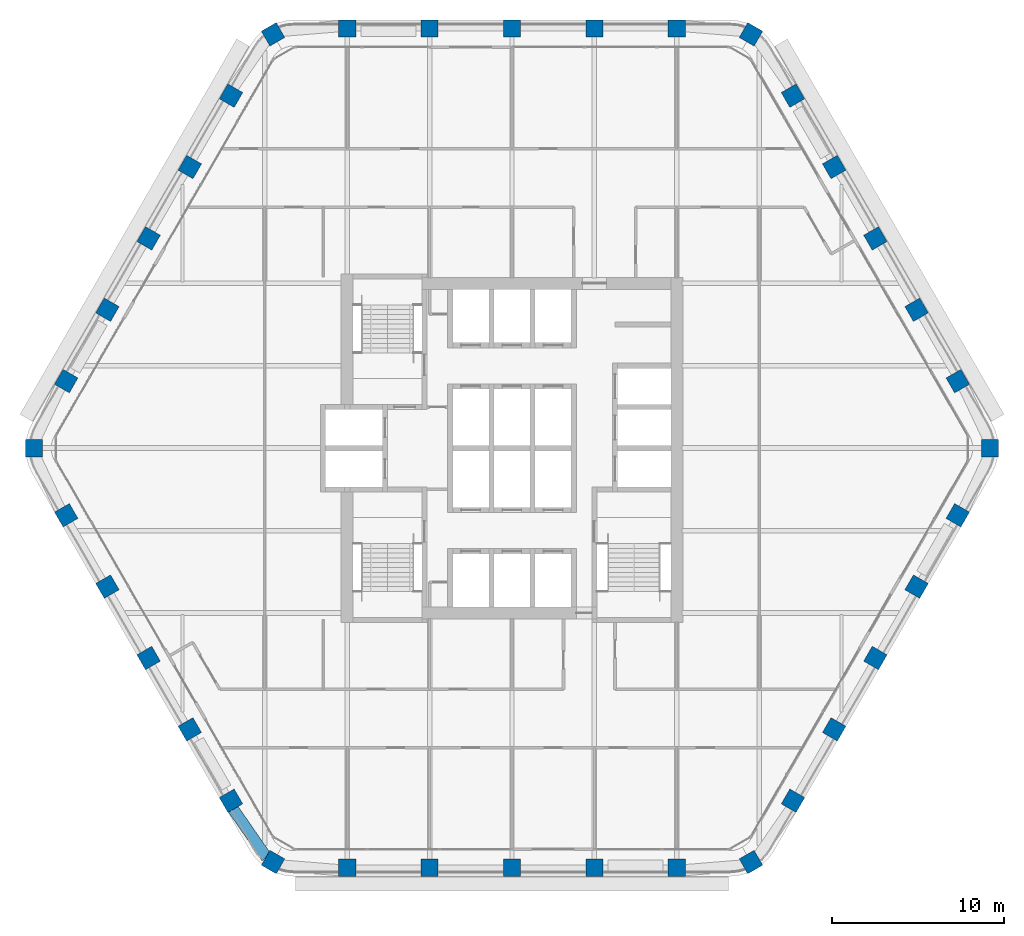
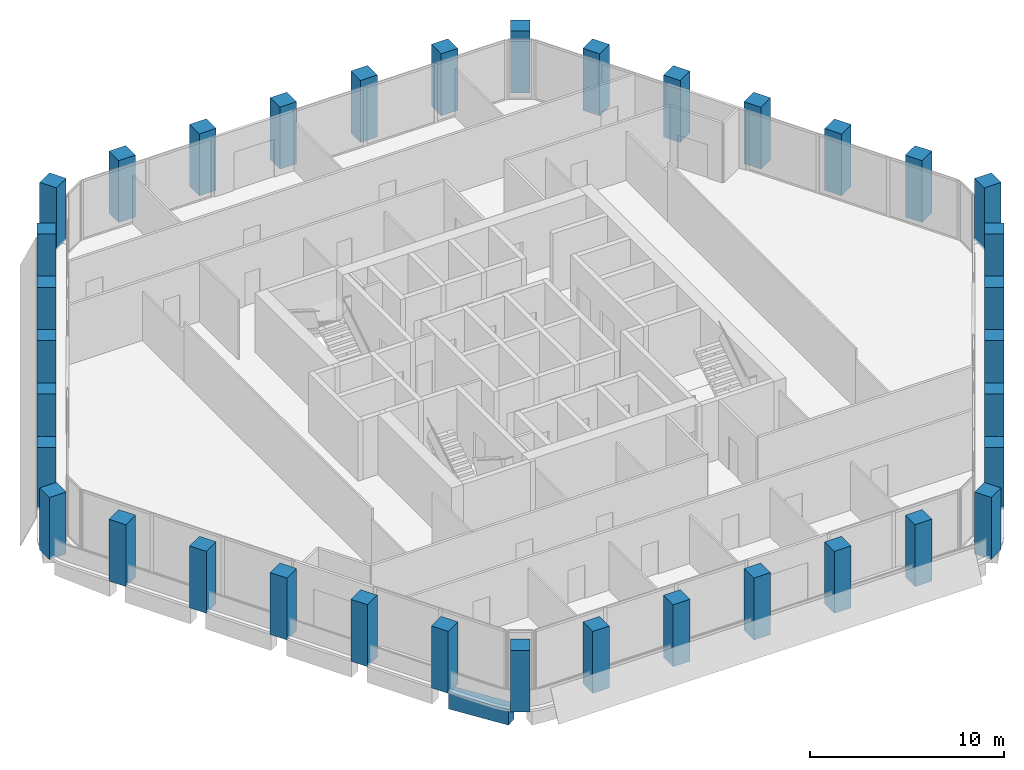
# One storey, part 1 of 15: 36 columns, 1 beam.
"""IFC4 building model written with IfcOpenShell, lengths in metres."""

from ifc_helpers import new_model, si_unit, direction, frame, origin, origin_2d, place, context, subcontext, project, spatial, rectangle, extrude, material, material_profile, profile_set, type_object, element, save


model = new_model("IFC4")

# Units and contexts
model_context = context("Model", 3, precision=1e-05, world=origin(), true_north=direction((0.0, 1.0)))
body_context = subcontext(model_context, "Body", "Model", "MODEL_VIEW")
ifc_project = project(units=[si_unit("LENGTHUNIT", "METRE"), si_unit("AREAUNIT", "SQUARE_METRE"), si_unit("VOLUMEUNIT", "CUBIC_METRE"), si_unit("PLANEANGLEUNIT", "RADIAN"), si_unit("MASSUNIT", "GRAM", prefix="KILO")], contexts=[model_context])

# Site, building, storey
site_placement = place(None, origin())
site = spatial("IfcSite", under=ifc_project, at=site_placement, CompositionType="ELEMENT")
building_placement = place(site_placement, origin())
building = spatial("IfcBuilding", under=site, at=building_placement, Name="Kolab Exchange Tower", CompositionType="ELEMENT")
storey_placement = place(building_placement, frame((0.0, 0.0, 142.699951171875)))
storey = spatial("IfcBuildingStorey", under=building, at=storey_placement, Name="L28", CompositionType="ELEMENT", Elevation=142.699951171875)

# Columns
ifc_material = material(Name="Concrete C60/75", Category="concrete")
ifc_material_profile_1 = material_profile(ifc_material, rectangle(XDim=1.0, YDim=1.0, at=origin_2d()), Name="RC1000")
ifc_profile_set_1 = profile_set([ifc_material_profile_1], Name="Concrete C60/75")
column_type = type_object("IfcColumnType", Name="PERIMETER COLUMN 1000 SQ C60/75", PredefinedType="COLUMN", material=ifc_profile_set_1)
for number, where, z_axis, x_axis, name in (
    (1, (-13.91796875, 24.106689453125, -0.14990234375), (0.0, 0.0, 1.0), (0.866025403784, 0.5, 0.0), "col/L28/F1-01"),
    (2, (-9.60009765625, 24.441650390625, -0.14990234375), (0.0, 0.0, 1.0), (1.0, 0.0, 0.0), "col/L28/F1-02"),
    (3, (-4.800048828125, 24.441650390625, -0.14990234375), (0.0, 0.0, 1.0), (1.0, 0.0, 0.0), "col/L28/F1-03"),
    (4, (0.0, 24.441650390625, -0.14990234375), (0.0, 0.0, 1.0), (1.0, 0.0, 0.0), "col/L28/F1-04"),
    (5, (4.800048828125, 24.441650390625, -0.14990234375), (0.0, 0.0, 1.0), (1.0, 0.0, 0.0), "col/L28/F1-05"),
    (6, (9.60009765625, 24.441650390625, -0.14990234375), (0.0, 0.0, 1.0), (1.0, 0.0, 0.0), "col/L28/F1-06"),
    (7, (13.91796875, 24.106689453125, -0.14990234375), (0.0, 0.0, 1.0), (0.5, 0.866025403784, 0.0), "col/L28/F2-01"),
    (8, (16.366943359375, 20.53466796875, -0.14990234375), (0.0, 0.0, 1.0), (0.866025403784, 0.5, 0.0), "col/L28/F2-02"),
    (9, (18.76708984375, 16.377685546875, -0.14990234375), (0.0, 0.0, 1.0), (0.866025403784, 0.5, 0.0), "col/L28/F2-03"),
    (10, (21.1669921875, 12.220703125, -0.14990234375), (0.0, 0.0, 1.0), (0.866025403784, 0.5, 0.0), "col/L28/F2-04"),
    (11, (23.56689453125, 8.06396484375, -0.14990234375), (0.0, 0.0, 1.0), (0.866025403784, 0.5, 0.0), "col/L28/F2-05"),
    (12, (25.967041015625, 3.906982421875, -0.14990234375), (0.0, 0.0, 1.0), (0.866025403784, 0.5, 0.0), "col/L28/F2-06"),
    (13, (27.8359375, 0.0, -0.14990234375), (0.0, 0.0, 1.0), (1.0, 0.0, 0.0), "col/L28/F3-01"),
    (14, (25.967041015625, -3.906982421875, -0.14990234375), (0.0, 0.0, 1.0), (0.5, 0.866025403784, 0.0), "col/L28/F3-02"),
    (15, (23.56689453125, -8.06396484375, -0.14990234375), (0.0, 0.0, 1.0), (0.5, 0.866025403784, 0.0), "col/L28/F3-03"),
    (16, (21.1669921875, -12.220703125, -0.14990234375), (0.0, 0.0, 1.0), (0.5, 0.866025403784, 0.0), "col/L28/F3-04"),
    (17, (18.76708984375, -16.377685546875, -0.14990234375), (0.0, 0.0, 1.0), (0.5, 0.866025403784, 0.0), "col/L28/F3-05"),
    (18, (16.366943359375, -20.53466796875, -0.14990234375), (0.0, 0.0, 1.0), (0.5, 0.866025403784, 0.0), "col/L28/F3-06"),
    (19, (13.91796875, -24.106689453125, -0.14990234375), (0.0, 0.0, 1.0), (0.866025403784, 0.5, 0.0), "col/L28/F4-01"),
    (20, (9.60009765625, -24.441650390625, -0.14990234375), (0.0, 0.0, 1.0), (1.0, 0.0, 0.0), "col/L28/F4-02"),
    (21, (4.800048828125, -24.441650390625, -0.14990234375), (0.0, 0.0, 1.0), (1.0, 0.0, 0.0), "col/L28/F4-03"),
    (22, (0.0, -24.441650390625, -0.14990234375), (0.0, 0.0, 1.0), (1.0, 0.0, 0.0), "col/L28/F4-04"),
    (23, (-4.800048828125, -24.441650390625, -0.14990234375), (0.0, 0.0, 1.0), (1.0, 0.0, 0.0), "col/L28/F4-05"),
    (24, (-9.60009765625, -24.441650390625, -0.14990234375), (0.0, 0.0, 1.0), (1.0, 0.0, 0.0), "col/L28/F4-06"),
    (25, (-13.91796875, -24.106689453125, -0.14990234375), (0.0, 0.0, 1.0), (0.5, 0.866025403784, 0.0), "col/L28/F5-01"),
    (26, (-16.366943359375, -20.53466796875, -0.14990234375), (0.0, 0.0, 1.0), (0.866025403784, 0.5, 0.0), "col/L28/F5-02"),
    (27, (-18.76708984375, -16.377685546875, -0.14990234375), (0.0, 0.0, 1.0), (0.866025403784, 0.5, 0.0), "col/L28/F5-03"),
    (28, (-21.1669921875, -12.220703125, -0.14990234375), (0.0, 0.0, 1.0), (0.866025403784, 0.5, 0.0), "col/L28/F5-04"),
    (29, (-23.56689453125, -8.06396484375, -0.14990234375), (0.0, 0.0, 1.0), (0.866025403784, 0.5, 0.0), "col/L28/F5-05"),
    (30, (-25.967041015625, -3.906982421875, -0.14990234375), (0.0, 0.0, 1.0), (0.866025403784, 0.5, 0.0), "col/L28/F5-06"),
    (31, (-27.8359375, 0.0, -0.14990234375), (0.0, 0.0, 1.0), (1.0, 0.0, 0.0), "col/L28/F6-01"),
    (32, (-25.967041015625, 3.906982421875, -0.14990234375), (0.0, 0.0, 1.0), (0.5, 0.866025403784, 0.0), "col/L28/F6-02"),
    (33, (-23.56689453125, 8.06396484375, -0.14990234375), (0.0, 0.0, 1.0), (0.5, 0.866025403784, 0.0), "col/L28/F6-03"),
    (34, (-21.1669921875, 12.220703125, -0.14990234375), (0.0, 0.0, 1.0), (0.5, 0.866025403784, 0.0), "col/L28/F6-04"),
    (35, (-18.76708984375, 16.377685546875, -0.14990234375), (0.0, 0.0, 1.0), (0.5, 0.866025403784, 0.0), "col/L28/F6-05"),
    (36, (-16.366943359375, 20.53466796875, -0.14990234375), (0.0, 0.0, 1.0), (0.5, 0.866025403784, 0.0), "col/L28/F6-06"),
):
    element("IfcColumn", number, at=place(storey_placement, frame(where, z_axis=z_axis, x_axis=x_axis)), inside=storey, type_object=column_type, Name=name, PredefinedType="COLUMN", context=body_context, shape_type="SweptSolid", body=[
        extrude(rectangle(XDim=1.0, YDim=1.0, at=origin_2d()), origin(), (0.0, 0.0, 1.0), 3.89990234375),
    ])

# Beam
ifc_material_profile_2 = material_profile(ifc_material, rectangle(XDim=0.64990234375, YDim=1.0, at=origin_2d()), Name="RC650X1000")
ifc_profile_set_2 = profile_set([ifc_material_profile_2], Name="Concrete C60/75")
beam_type = type_object("IfcBeamType", Name="SPANDREL BEAM 650X1000 C60/75", PredefinedType="BEAM", material=ifc_profile_set_2)
beam_placement = place(storey_placement, frame((-14.29736328125, -23.8359375, -0.64990234375), z_axis=(-0.568572281073, 0.822633309073, 0.0), x_axis=(-0.822633309073, -0.568572281073, 0.0)))
element("IfcBeam", 37, at=beam_placement, inside=storey, type_object=beam_type, Name="beam/L28/sp/F5-01", PredefinedType="BEAM", context=body_context, shape_type="SweptSolid", body=[
    extrude(rectangle(XDim=0.64990234375, YDim=1.0, at=origin_2d()), origin(), (0.0, 0.0, 1.0), 3.445068359375),
])

save(model, "model.ifc")
